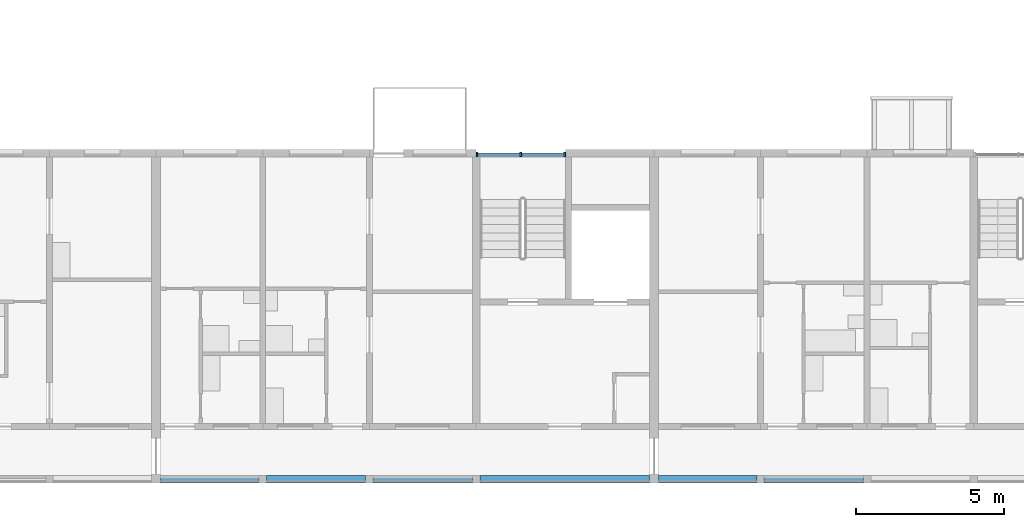
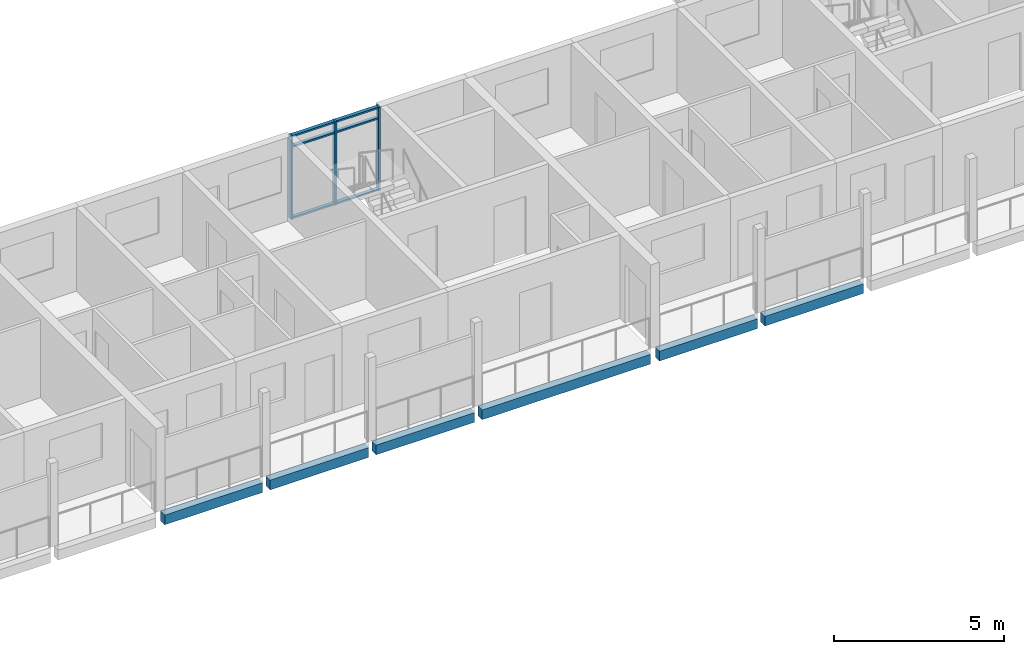
# One storey, part 15 of 78: 9 members, 6 beams, 1 element without a shape of its own.
"""IFC4 building model written with IfcOpenShell, lengths in metres."""

import ifcopenshell
import ifcopenshell.guid

model = None  # the IFC model being written
_history = None  # IfcOwnerHistory: only IFC2X3 demands one
_inside = {}  # id of a spatial element -> (the spatial element, [elements in it])
_under = {}  # id of a project, library or spatial element -> (it, [spatial elements below it])
_declared = {}  # id of a project -> (the project, [libraries it declares])
_typed = {}  # id of a type object -> (the type object, [elements of that type])
_made_of = {}  # id of a material, layer set ... -> (it, [elements and type objects made of it])


def new_model(schema):
    """Start an empty IFC model of exactly this schema.

    Asked for "IFC4X3", IfcOpenShell would pick the latest addendum, in which some entities
    have other attributes; the version numbers below select the first issue.
    IFC2X3 requires an IfcOwnerHistory on every rooted entity: one is made here for all.
    """
    global model, _history
    if schema == "IFC4X3":
        model = ifcopenshell.file(schema_version=(4, 3, 0, 0))
    else:
        model = ifcopenshell.file(schema=schema)
    _inside.clear()
    _under.clear()
    _declared.clear()
    _typed.clear()
    _made_of.clear()
    _history = None
    if model.schema == "IFC2X3":
        org = make("IfcOrganization", Name="unknown")
        user = make(
            "IfcPersonAndOrganization",
            ThePerson=make("IfcPerson", FamilyName="unknown"),
            TheOrganization=org,
        )
        app = make(
            "IfcApplication",
            ApplicationDeveloper=org,
            Version="unknown",
            ApplicationFullName="unknown",
            ApplicationIdentifier="unknown",
        )
        _history = make(
            "IfcOwnerHistory",
            OwningUser=user,
            OwningApplication=app,
            ChangeAction="ADDED",
            CreationDate=0,
        )
    return model


def make(cls, **values):
    """One entity of the class cls with the attributes given. An attribute that is None is left unset."""
    return model.create_entity(
        cls, **{name: value for name, value in values.items() if value is not None}
    )


def rooted(cls, **values):
    """An entity with a GlobalId (a new one), such as an element, a storey or a relation."""
    return make(cls, GlobalId=ifcopenshell.guid.new(), OwnerHistory=_history, **values)


def si_unit(unit_type, name, prefix=None):
    """IfcSIUnit, for example si_unit("LENGTHUNIT", "METRE", prefix="MILLI")."""
    return make("IfcSIUnit", UnitType=unit_type, Prefix=prefix, Name=name)


def assignment(units):
    """IfcUnitAssignment: the units of a project."""
    return None if units is None else make("IfcUnitAssignment", Units=units)


def point(xyz):
    """IfcCartesianPoint."""
    return None if xyz is None else make("IfcCartesianPoint", Coordinates=xyz)


def direction(xyz):
    """IfcDirection."""
    return None if xyz is None else make("IfcDirection", DirectionRatios=xyz)


def frame(location, z_axis=None, x_axis=None):
    """IfcAxis2Placement3D, a coordinate frame: its origin and axes. An axis left out is left unset."""
    return make(
        "IfcAxis2Placement3D",
        Location=point(location),
        Axis=direction(z_axis),
        RefDirection=direction(x_axis),
    )


def frame_2d(location, x_axis=None):
    """IfcAxis2Placement2D, a coordinate frame in the plane: its origin and x axis."""
    return make(
        "IfcAxis2Placement2D", Location=point(location), RefDirection=direction(x_axis)
    )


def origin():
    """The frame at (0, 0, 0) with its axes left unset."""
    return frame((0.0, 0.0, 0.0))


def origin_2d():
    """The frame at (0, 0) in the plane with its x axis left unset."""
    return frame_2d((0.0, 0.0))


def place(relative_to, where):
    """IfcLocalPlacement: puts the frame where relative to a parent placement (None: the world)."""
    return make(
        "IfcLocalPlacement", PlacementRelTo=relative_to, RelativePlacement=where
    )


def context(
    kind, dimensions, precision=None, world=None, true_north=None, identifier=None
):
    """IfcGeometricRepresentationContext, for example the 3D "Model" context."""
    return make(
        "IfcGeometricRepresentationContext",
        ContextIdentifier=identifier,
        ContextType=kind,
        CoordinateSpaceDimension=dimensions,
        Precision=precision,
        WorldCoordinateSystem=world,
        TrueNorth=true_north,
    )


def subcontext(parent, identifier, kind, view, scale=None):
    """IfcGeometricRepresentationSubContext, for example "Body" below "Model"."""
    return make(
        "IfcGeometricRepresentationSubContext",
        ContextIdentifier=identifier,
        ContextType=kind,
        ParentContext=parent,
        TargetScale=scale,
        TargetView=view,
    )


def project(units=None, contexts=None):
    """IfcProject with its units and contexts."""
    return rooted(
        "IfcProject",
        Name="project",
        RepresentationContexts=contexts,
        UnitsInContext=assignment(units),
    )


def spatial(cls, under=None, at=None, **own):
    """A site, building, storey or space (cls), placed at a placement, below another one or the project."""
    s = rooted(cls, ObjectPlacement=at, **own)
    if under is not None:
        _under.setdefault(under.id(), (under, []))[1].append(s)
    return s


def profile(cls, at=None, kind="AREA", **sizes):
    """A parametric profile (cls). Its sizes go by their IFC names, for example OverallWidth=200.0."""
    return make(cls, ProfileType=kind, Position=at, **sizes)


def rectangle(**sizes):
    """IfcRectangleProfileDef."""
    return profile("IfcRectangleProfileDef", **sizes)


def extrude(swept, where, along, depth):
    """IfcExtrudedAreaSolid: the profile swept, set in the frame where, extruded along a direction by depth."""
    return make(
        "IfcExtrudedAreaSolid",
        SweptArea=swept,
        Position=where,
        ExtrudedDirection=direction(along),
        Depth=depth,
    )


def shape(context_of_items, identifier, shape_type, items):
    """IfcShapeRepresentation: the items that make up one representation, for example the "Body"."""
    return make(
        "IfcShapeRepresentation",
        ContextOfItems=context_of_items,
        RepresentationIdentifier=identifier,
        RepresentationType=shape_type,
        Items=items,
    )


def material(Name=None, Category=None):
    """IfcMaterial."""
    return make("IfcMaterial", Name=Name, Category=Category)


def material_profile(
    of_material, cross_section, Name=None, Category=None, Priority=None
):
    """IfcMaterialProfile: a cross section and its material."""
    return make(
        "IfcMaterialProfile",
        Name=Name,
        Material=of_material,
        Profile=cross_section,
        Priority=Priority,
        Category=Category,
    )


def profile_set(profiles, Name=None, composite=None):
    """IfcMaterialProfileSet."""
    return make(
        "IfcMaterialProfileSet",
        Name=Name,
        MaterialProfiles=profiles,
        CompositeProfile=composite,
    )


def made_of(thing, what):
    """Note that an element or type object is made of a material, layer set ...; save() writes the relation."""
    if what is not None:
        _made_of.setdefault(what.id(), (what, []))[1].append(thing)
    return thing


def type_object(cls, material=None, **own):
    """A type object (cls), such as IfcWallType, which elements share."""
    return made_of(rooted(cls, **own), material)


def element(
    cls,
    number,
    at=None,
    inside=None,
    cuts=None,
    type_object=None,
    material=None,
    context=None,
    identifier="Body",
    shape_type=None,
    held_by="IfcProductDefinitionShape",
    body=None,
    shapes=None,
    **own,
):
    """One element of the class cls, such as IfcWall. Its Tag is "e" and its number.

    at: its placement. inside: the storey or other place that contains it. cuts: it is an
    opening in that element (IfcRelVoidsElement). A single representation is given by context,
    identifier, shape_type and body (its items); several are given by shapes. held_by: the class
    of the entity that holds the representations. save() writes the other relations.
    """
    e = rooted(cls, Tag="e%d" % number, ObjectPlacement=at, **own)
    if body is not None:
        shapes = [shape(context, identifier, shape_type, body)]
    if shapes is not None:
        e.Representation = make(held_by, Representations=shapes)
    if inside is not None:
        _inside.setdefault(inside.id(), (inside, []))[1].append(e)
    if cuts is not None:
        rooted(
            "IfcRelVoidsElement", RelatingBuildingElement=cuts, RelatedOpeningElement=e
        )
    if type_object is not None:
        _typed.setdefault(type_object.id(), (type_object, []))[1].append(e)
    return made_of(e, material)


def aggregate(whole, parts):
    """IfcRelAggregates: a whole, such as a stair, and the parts it consists of."""
    return rooted("IfcRelAggregates", RelatingObject=whole, RelatedObjects=parts)


def save(model, path):
    """Write the relations noted so far, then the file.

    IfcRelAggregates (storeys below a building ...), IfcRelContainedInSpatialStructure (elements
    in a storey), IfcRelDefinesByType, IfcRelAssociatesMaterial and IfcRelDeclares: one each for
    every whole, place, type object, material and project.
    """
    for whole, parts in _under.values():
        aggregate(whole, parts)
    for where, things in _inside.values():
        rooted(
            "IfcRelContainedInSpatialStructure",
            RelatedElements=things,
            RelatingStructure=where,
        )
    for kind, things in _typed.values():
        rooted("IfcRelDefinesByType", RelatedObjects=things, RelatingType=kind)
    for what, things in _made_of.values():
        rooted("IfcRelAssociatesMaterial", RelatedObjects=things, RelatingMaterial=what)
    for by, libraries in _declared.values():
        rooted("IfcRelDeclares", RelatingContext=by, RelatedDefinitions=libraries)
    model.write(path)


model = new_model("IFC4")

# Units and contexts
model_context = context("Model", 3, precision=1e-05, world=origin(), true_north=direction((0.0, 1.0)))
body_context = subcontext(model_context, "Body", "Model", "MODEL_VIEW")
ifc_project = project(units=[si_unit("LENGTHUNIT", "METRE"), si_unit("AREAUNIT", "SQUARE_METRE"), si_unit("VOLUMEUNIT", "CUBIC_METRE"), si_unit("PLANEANGLEUNIT", "RADIAN"), si_unit("MASSUNIT", "GRAM", prefix="KILO")], contexts=[model_context])

# Site, building, storey
site_placement = place(None, origin())
site = spatial("IfcSite", under=ifc_project, at=site_placement, CompositionType="ELEMENT")
building_placement = place(site_placement, origin())
building = spatial("IfcBuilding", under=site, at=building_placement, Name="Ridgestep Commons", CompositionType="ELEMENT")
storey_placement = place(building_placement, frame((0.0, 0.0, 30.0)))
storey = spatial("IfcBuildingStorey", under=building, at=storey_placement, Name="L10", CompositionType="ELEMENT", Elevation=30.0)

# Beams
ifc_material_1 = material(Name="Precast concrete C40/50", Category="concrete")
ifc_material_profile_1 = material_profile(ifc_material_1, rectangle(XDim=0.25, YDim=0.35009765625, at=origin_2d()), Name="PC 250x350")
ifc_profile_set_1 = profile_set([ifc_material_profile_1], Name="Precast concrete C40/50")
beam_type = type_object("IfcBeamType", Name="Loggia edge beam 250 x 350", PredefinedType="SPANDREL", material=ifc_profile_set_1)
beam_1_placement = place(storey_placement, frame((180.550048828125, 11.875, -0.375), z_axis=(1.0, 0.0, 0.0), x_axis=(0.0, 1.0, 0.0)))
element("IfcBeam", 1, at=beam_1_placement, inside=storey, type_object=beam_type, Name="Loggia edge beam D3T1 L10", PredefinedType="SPANDREL", context=body_context, shape_type="SweptSolid", body=[
    extrude(rectangle(XDim=0.25, YDim=0.35009765625, at=origin_2d()), origin(), (0.0, 0.0, 1.0), 3.324951171875),
])
beam_2_placement = place(storey_placement, frame((184.125, 11.875, -0.375), z_axis=(1.0, 0.0, 0.0), x_axis=(0.0, 1.0, 0.0)))
element("IfcBeam", 2, at=beam_2_placement, inside=storey, type_object=beam_type, Name="Loggia edge beam D3T2 L10", PredefinedType="SPANDREL", context=body_context, shape_type="SweptSolid", body=[
    extrude(rectangle(XDim=0.25, YDim=0.35009765625, at=origin_2d()), origin(), (0.0, 0.0, 1.0), 3.35009765625),
])
beam_3_placement = place(storey_placement, frame((187.72509765625, 11.875, -0.375), z_axis=(1.0, 0.0, 0.0), x_axis=(0.0, 1.0, 0.0)))
element("IfcBeam", 3, at=beam_3_placement, inside=storey, type_object=beam_type, Name="Loggia edge beam D3T3 L10", PredefinedType="SPANDREL", context=body_context, shape_type="SweptSolid", body=[
    extrude(rectangle(XDim=0.25, YDim=0.35009765625, at=origin_2d()), origin(), (0.0, 0.0, 1.0), 3.349853515625),
])
beam_4_placement = place(storey_placement, frame((191.324951171875, 11.875, -0.375), z_axis=(1.0, 0.0, 0.0), x_axis=(0.0, 1.0, 0.0)))
element("IfcBeam", 4, at=beam_4_placement, inside=storey, type_object=beam_type, Name="Loggia edge beam D3C L10", PredefinedType="SPANDREL", context=body_context, shape_type="SweptSolid", body=[
    extrude(rectangle(XDim=0.25, YDim=0.35009765625, at=origin_2d()), origin(), (0.0, 0.0, 1.0), 5.72509765625),
])
beam_5_placement = place(storey_placement, frame((197.35009765625, 11.875, -0.375), z_axis=(1.0, 0.0, 0.0), x_axis=(0.0, 1.0, 0.0)))
element("IfcBeam", 5, at=beam_5_placement, inside=storey, type_object=beam_type, Name="Loggia edge beam D4T1 L10", PredefinedType="SPANDREL", context=body_context, shape_type="SweptSolid", body=[
    extrude(rectangle(XDim=0.25, YDim=0.35009765625, at=origin_2d()), origin(), (0.0, 0.0, 1.0), 3.324951171875),
])
beam_6_placement = place(storey_placement, frame((200.925048828125, 11.875, -0.375), z_axis=(1.0, 0.0, 0.0), x_axis=(0.0, 1.0, 0.0)))
element("IfcBeam", 6, at=beam_6_placement, inside=storey, type_object=beam_type, Name="Loggia edge beam D4T2 L10", PredefinedType="SPANDREL", context=body_context, shape_type="SweptSolid", body=[
    extrude(rectangle(XDim=0.25, YDim=0.35009765625, at=origin_2d()), origin(), (0.0, 0.0, 1.0), 3.349853515625),
])

# Curtain wall, members
ifc_material_2 = material(Name="Aluminium 6063-T6 and glass", Category="aluminium")
curtain_wall_type = type_object("IfcCurtainWallType", Name="Curtain wall stair strip", PredefinedType="NOTDEFINED", material=ifc_material_2)
curtain_wall_placement = place(storey_placement, origin())
curtain_wall = element("IfcCurtainWall", 7, at=curtain_wall_placement, inside=storey, type_object=curtain_wall_type, Name="Curtain wall D3C level 10", PredefinedType="NOTDEFINED")
ifc_material_3 = material(Name="Aluminium 6063-T6", Category="aluminium")
ifc_material_profile_2 = material_profile(ifc_material_3, rectangle(XDim=0.159912109375, YDim=0.06005859375, at=origin_2d()), Name="Mullion 60 x 160")
ifc_profile_set_2 = profile_set([ifc_material_profile_2], Name="Aluminium 6063-T6")
member_type_1 = type_object("IfcMemberType", Name="Mullion 60 x 160", PredefinedType="MULLION", material=ifc_profile_set_2)
member_1_placement = place(storey_placement, frame((191.22998046875, 22.830078125, 0.0), z_axis=(0.0, 0.0, 1.0), x_axis=(0.0, 1.0, 0.0)))
member_1 = element("IfcMember", 8, at=member_1_placement, type_object=member_type_1, Name="CW1 mullion 1", PredefinedType="MULLION", context=body_context, shape_type="SweptSolid", body=[
    extrude(rectangle(XDim=0.159912109375, YDim=0.06005859375, at=origin_2d()), origin(), (0.0, 0.0, 1.0), 3.0),
])
member_2_placement = place(storey_placement, frame((192.71240234375, 22.830078125, 0.0), z_axis=(0.0, 0.0, 1.0), x_axis=(0.0, 1.0, 0.0)))
member_2 = element("IfcMember", 9, at=member_2_placement, type_object=member_type_1, Name="CW1 mullion 2", PredefinedType="MULLION", context=body_context, shape_type="SweptSolid", body=[
    extrude(rectangle(XDim=0.159912109375, YDim=0.06005859375, at=origin_2d()), origin(), (0.0, 0.0, 1.0), 3.0),
])
member_3_placement = place(storey_placement, frame((194.195068359375, 22.830078125, 0.0), z_axis=(0.0, 0.0, 1.0), x_axis=(0.0, 1.0, 0.0)))
member_3 = element("IfcMember", 10, at=member_3_placement, type_object=member_type_1, Name="CW1 mullion 3", PredefinedType="MULLION", context=body_context, shape_type="SweptSolid", body=[
    extrude(rectangle(XDim=0.159912109375, YDim=0.06005859375, at=origin_2d()), origin(), (0.0, 0.0, 1.0), 3.0),
])
ifc_material_4 = material(Name="Aluminium 6063-T6", Category="aluminium")
ifc_material_profile_3 = material_profile(ifc_material_4, rectangle(XDim=0.1201171875, YDim=0.06005859375, at=origin_2d()), Name="Transom 60 x 120")
ifc_profile_set_3 = profile_set([ifc_material_profile_3], Name="Aluminium 6063-T6")
member_type_2 = type_object("IfcMemberType", Name="Transom 60 x 120", PredefinedType="USERDEFINED", material=ifc_profile_set_3)
member_4_placement = place(storey_placement, frame((191.260009765625, 22.830078125, 0.030029296875), z_axis=(1.0, 0.0, 0.0), x_axis=(0.0, 1.0, 0.0)))
member_4 = element("IfcMember", 11, at=member_4_placement, type_object=member_type_2, Name="CW1 transom 1.1", ObjectType="TRANSOM", PredefinedType="USERDEFINED", context=body_context, shape_type="SweptSolid", body=[
    extrude(rectangle(XDim=0.1201171875, YDim=0.06005859375, at=origin_2d()), origin(), (0.0, 0.0, 1.0), 1.422607421875),
])
member_5_placement = place(storey_placement, frame((191.260009765625, 22.830078125, 2.590087890625), z_axis=(1.0, 0.0, 0.0), x_axis=(0.0, 1.0, 0.0)))
member_5 = element("IfcMember", 12, at=member_5_placement, type_object=member_type_2, Name="CW1 transom 1.2", ObjectType="TRANSOM", PredefinedType="USERDEFINED", context=body_context, shape_type="SweptSolid", body=[
    extrude(rectangle(XDim=0.1201171875, YDim=0.06005859375, at=origin_2d()), origin(), (0.0, 0.0, 1.0), 1.422607421875),
])
member_6_placement = place(storey_placement, frame((191.260009765625, 22.830078125, 2.969970703125), z_axis=(1.0, 0.0, 0.0), x_axis=(0.0, 1.0, 0.0)))
member_6 = element("IfcMember", 13, at=member_6_placement, type_object=member_type_2, Name="CW1 transom 1.3", ObjectType="TRANSOM", PredefinedType="USERDEFINED", context=body_context, shape_type="SweptSolid", body=[
    extrude(rectangle(XDim=0.1201171875, YDim=0.06005859375, at=origin_2d()), origin(), (0.0, 0.0, 1.0), 1.422607421875),
])
member_7_placement = place(storey_placement, frame((192.742431640625, 22.830078125, 0.030029296875), z_axis=(1.0, 0.0, 0.0), x_axis=(0.0, 1.0, 0.0)))
member_7 = element("IfcMember", 14, at=member_7_placement, type_object=member_type_2, Name="CW1 transom 2.1", ObjectType="TRANSOM", PredefinedType="USERDEFINED", context=body_context, shape_type="SweptSolid", body=[
    extrude(rectangle(XDim=0.1201171875, YDim=0.06005859375, at=origin_2d()), origin(), (0.0, 0.0, 1.0), 1.422607421875),
])
member_8_placement = place(storey_placement, frame((192.742431640625, 22.830078125, 2.590087890625), z_axis=(1.0, 0.0, 0.0), x_axis=(0.0, 1.0, 0.0)))
member_8 = element("IfcMember", 15, at=member_8_placement, type_object=member_type_2, Name="CW1 transom 2.2", ObjectType="TRANSOM", PredefinedType="USERDEFINED", context=body_context, shape_type="SweptSolid", body=[
    extrude(rectangle(XDim=0.1201171875, YDim=0.06005859375, at=origin_2d()), origin(), (0.0, 0.0, 1.0), 1.422607421875),
])
member_9_placement = place(storey_placement, frame((192.742431640625, 22.830078125, 2.969970703125), z_axis=(1.0, 0.0, 0.0), x_axis=(0.0, 1.0, 0.0)))
member_9 = element("IfcMember", 16, at=member_9_placement, type_object=member_type_2, Name="CW1 transom 2.3", ObjectType="TRANSOM", PredefinedType="USERDEFINED", context=body_context, shape_type="SweptSolid", body=[
    extrude(rectangle(XDim=0.1201171875, YDim=0.06005859375, at=origin_2d()), origin(), (0.0, 0.0, 1.0), 1.422607421875),
])
aggregate(curtain_wall, [member_1, member_2, member_3, member_4, member_5, member_6, member_7, member_8, member_9])

save(model, "model.ifc")
